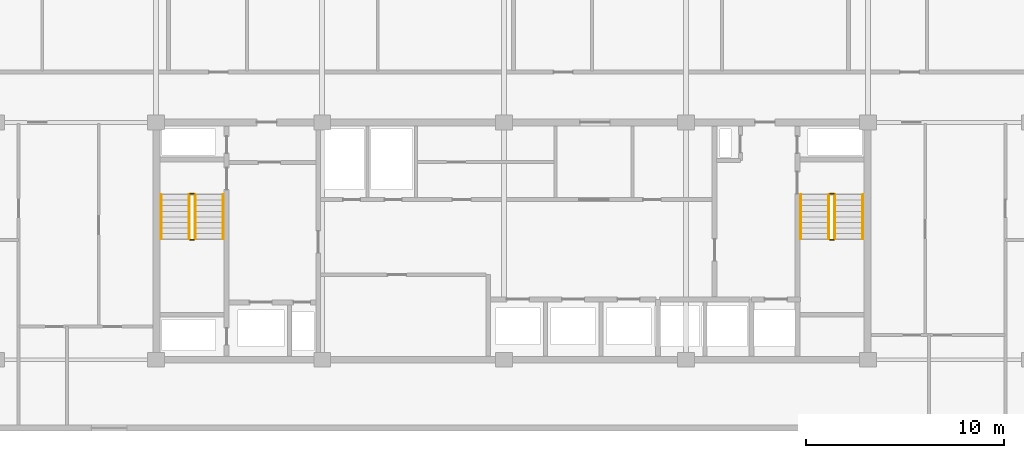
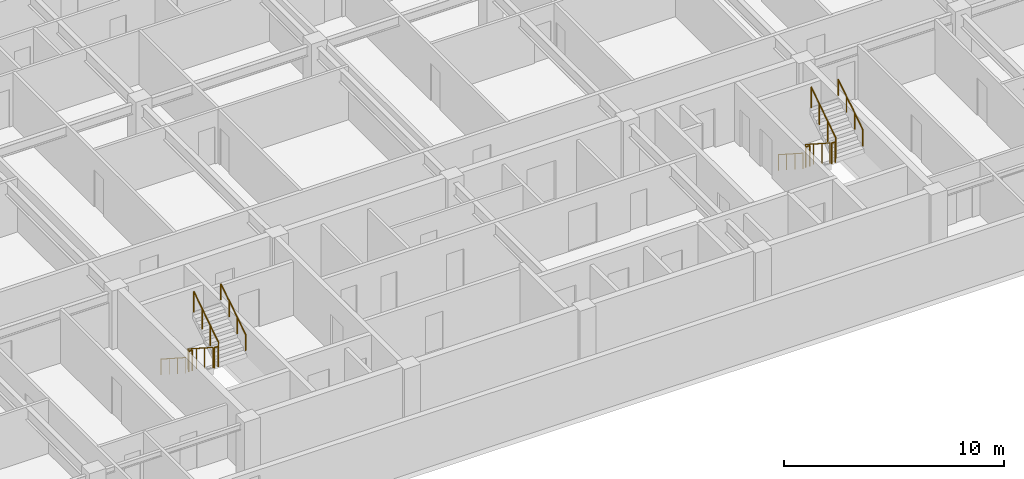
# One storey, part 22 of 23: 12 railings.
"""IFC4 building model written with IfcOpenShell, lengths in metres."""

from ifc_helpers import new_model, si_unit, direction, frame, origin, origin_2d, place, context, subcontext, project, spatial, circle, extrude, material, type_object, element, save


model = new_model("IFC4")

# Units and contexts
model_context = context("Model", 3, precision=1e-05, world=origin(), true_north=direction((0.0, 1.0)))
body_context = subcontext(model_context, "Body", "Model", "MODEL_VIEW")
ifc_project = project(units=[si_unit("LENGTHUNIT", "METRE"), si_unit("AREAUNIT", "SQUARE_METRE"), si_unit("VOLUMEUNIT", "CUBIC_METRE"), si_unit("PLANEANGLEUNIT", "RADIAN"), si_unit("MASSUNIT", "GRAM", prefix="KILO")], contexts=[model_context])

# Site, building, storey
site_placement = place(None, origin())
site = spatial("IfcSite", under=ifc_project, at=site_placement, CompositionType="ELEMENT")
building_placement = place(site_placement, origin())
building = spatial("IfcBuilding", under=site, at=building_placement, Name="Korimba Cascade Residences", CompositionType="ELEMENT")
storey_placement = place(building_placement, frame((0.0, 0.0, 165.35009765625)))
storey = spatial("IfcBuildingStorey", under=building, at=storey_placement, Name="L47", CompositionType="ELEMENT", Elevation=165.35009765625)

# Railings
ifc_material_1 = material(Name="Painted Steel Stairwell Guardrail", Category="steel")
railing_type_1 = type_object("IfcRailingType", Name="RLG-ST-GD1150", PredefinedType="GUARDRAIL", material=ifc_material_1)
railing_1_placement = place(storey_placement, frame((77.77001953125, 63.550048828125, 0.180419921875)))
element("IfcRailing", 1, at=railing_1_placement, inside=storey, type_object=railing_type_1, Name="L47 ST-W1 stair guard 1", PredefinedType="GUARDRAIL", context=body_context, shape_type="SweptSolid", body=[
    extrude(circle(Radius=0.02392578125, at=origin_2d()), frame((0.0, 0.0, 1.1259765625), z_axis=(0.0, -0.840394893359, 0.541974559565), x_axis=(1.0, 0.0, 0.0)), (0.0, 0.0, 1.0), 2.665283203125),
    extrude(circle(Radius=0.02099609375, at=origin_2d()), origin(), (0.0, 0.0, 1.0), 1.101806640625),
    extrude(circle(Radius=0.02099609375, at=origin_2d()), frame((0.0, -0.74658203125, 0.4814453125)), (0.0, 0.0, 1.0), 1.101806640625),
    extrude(circle(Radius=0.02099609375, at=origin_2d()), frame((0.0, -1.493408203125, 0.963134765625)), (0.0, 0.0, 1.0), 1.101806640625),
    extrude(circle(Radius=0.02099609375, at=origin_2d()), frame((0.0, -2.239990234375, 1.444580078125)), (0.0, 0.0, 1.0), 1.101806640625),
])
railing_2_placement = place(storey_placement, frame((77.820068359375, 61.260009765625, 1.625)))
element("IfcRailing", 2, at=railing_2_placement, inside=storey, type_object=railing_type_1, Name="L47 ST-W1 stair guard 2", PredefinedType="GUARDRAIL", context=body_context, shape_type="SweptSolid", body=[
    extrude(circle(Radius=0.02392578125, at=origin_2d()), frame((0.0, 0.0, 1.1259765625), z_axis=(1.0, 0.0, 0.0), x_axis=(0.0, 1.0, 0.0)), (0.0, 0.0, 1.0), 0.199951171875),
    extrude(circle(Radius=0.02099609375, at=origin_2d()), origin(), (0.0, 0.0, 1.0), 1.101806640625),
    extrude(circle(Radius=0.02099609375, at=origin_2d()), frame((0.199951171875, 0.0, 0.0)), (0.0, 0.0, 1.0), 1.101806640625),
])
railing_3_placement = place(storey_placement, frame((78.070068359375, 61.31005859375, 1.805419921875)))
element("IfcRailing", 3, at=railing_3_placement, inside=storey, type_object=railing_type_1, Name="L47 ST-W1 stair guard 3", PredefinedType="GUARDRAIL", context=body_context, shape_type="SweptSolid", body=[
    extrude(circle(Radius=0.02392578125, at=origin_2d()), frame((0.0, 0.0, 1.1259765625), z_axis=(0.0, 0.840394893359, 0.541974559565), x_axis=(-1.0, 0.0, 0.0)), (0.0, 0.0, 1.0), 2.665283203125),
    extrude(circle(Radius=0.02099609375, at=origin_2d()), origin(), (0.0, 0.0, 1.0), 1.101806640625),
    extrude(circle(Radius=0.02099609375, at=origin_2d()), frame((0.0, 0.74658203125, 0.4814453125)), (0.0, 0.0, 1.0), 1.101806640625),
    extrude(circle(Radius=0.02099609375, at=origin_2d()), frame((0.0, 1.493408203125, 0.963134765625)), (0.0, 0.0, 1.0), 1.101806640625),
    extrude(circle(Radius=0.02099609375, at=origin_2d()), frame((0.0, 2.239990234375, 1.444580078125)), (0.0, 0.0, 1.0), 1.101806640625),
])
railing_4_placement = place(storey_placement, frame((77.820068359375, 63.60009765625, 0.0)))
element("IfcRailing", 4, at=railing_4_placement, inside=storey, type_object=railing_type_1, Name="L47 ST-W1 stair guard 4", PredefinedType="GUARDRAIL", context=body_context, shape_type="SweptSolid", body=[
    extrude(circle(Radius=0.02392578125, at=origin_2d()), frame((0.0, 0.0, 1.1259765625), z_axis=(1.0, 0.0, 0.0), x_axis=(0.0, 1.0, 0.0)), (0.0, 0.0, 1.0), 0.199951171875),
    extrude(circle(Radius=0.02099609375, at=origin_2d()), origin(), (0.0, 0.0, 1.0), 1.101806640625),
    extrude(circle(Radius=0.02099609375, at=origin_2d()), frame((0.199951171875, 0.0, 0.0)), (0.0, 0.0, 1.0), 1.101806640625),
])
railing_5_placement = place(storey_placement, frame((110.1298828125, 63.550048828125, 0.180419921875)))
element("IfcRailing", 5, at=railing_5_placement, inside=storey, type_object=railing_type_1, Name="L47 ST-W2 stair guard 1", PredefinedType="GUARDRAIL", context=body_context, shape_type="SweptSolid", body=[
    extrude(circle(Radius=0.02392578125, at=origin_2d()), frame((0.0, 0.0, 1.1259765625), z_axis=(0.0, -0.840394893359, 0.541974559565), x_axis=(1.0, 0.0, 0.0)), (0.0, 0.0, 1.0), 2.665283203125),
    extrude(circle(Radius=0.02099609375, at=origin_2d()), origin(), (0.0, 0.0, 1.0), 1.101806640625),
    extrude(circle(Radius=0.02099609375, at=origin_2d()), frame((0.0, -0.74658203125, 0.4814453125)), (0.0, 0.0, 1.0), 1.101806640625),
    extrude(circle(Radius=0.02099609375, at=origin_2d()), frame((0.0, -1.493408203125, 0.963134765625)), (0.0, 0.0, 1.0), 1.101806640625),
    extrude(circle(Radius=0.02099609375, at=origin_2d()), frame((0.0, -2.239990234375, 1.444580078125)), (0.0, 0.0, 1.0), 1.101806640625),
])
railing_6_placement = place(storey_placement, frame((110.179931640625, 61.260009765625, 1.625)))
element("IfcRailing", 6, at=railing_6_placement, inside=storey, type_object=railing_type_1, Name="L47 ST-W2 stair guard 2", PredefinedType="GUARDRAIL", context=body_context, shape_type="SweptSolid", body=[
    extrude(circle(Radius=0.02392578125, at=origin_2d()), frame((0.0, 0.0, 1.1259765625), z_axis=(1.0, 0.0, 0.0), x_axis=(0.0, 1.0, 0.0)), (0.0, 0.0, 1.0), 0.199951171875),
    extrude(circle(Radius=0.02099609375, at=origin_2d()), origin(), (0.0, 0.0, 1.0), 1.101806640625),
    extrude(circle(Radius=0.02099609375, at=origin_2d()), frame((0.199951171875, 0.0, 0.0)), (0.0, 0.0, 1.0), 1.101806640625),
])
railing_7_placement = place(storey_placement, frame((110.429931640625, 61.31005859375, 1.805419921875)))
element("IfcRailing", 7, at=railing_7_placement, inside=storey, type_object=railing_type_1, Name="L47 ST-W2 stair guard 3", PredefinedType="GUARDRAIL", context=body_context, shape_type="SweptSolid", body=[
    extrude(circle(Radius=0.02392578125, at=origin_2d()), frame((0.0, 0.0, 1.1259765625), z_axis=(0.0, 0.840394893359, 0.541974559565), x_axis=(-1.0, 0.0, 0.0)), (0.0, 0.0, 1.0), 2.665283203125),
    extrude(circle(Radius=0.02099609375, at=origin_2d()), origin(), (0.0, 0.0, 1.0), 1.101806640625),
    extrude(circle(Radius=0.02099609375, at=origin_2d()), frame((0.0, 0.74658203125, 0.4814453125)), (0.0, 0.0, 1.0), 1.101806640625),
    extrude(circle(Radius=0.02099609375, at=origin_2d()), frame((0.0, 1.493408203125, 0.963134765625)), (0.0, 0.0, 1.0), 1.101806640625),
    extrude(circle(Radius=0.02099609375, at=origin_2d()), frame((0.0, 2.239990234375, 1.444580078125)), (0.0, 0.0, 1.0), 1.101806640625),
])
railing_8_placement = place(storey_placement, frame((110.179931640625, 63.60009765625, 0.0)))
element("IfcRailing", 8, at=railing_8_placement, inside=storey, type_object=railing_type_1, Name="L47 ST-W2 stair guard 4", PredefinedType="GUARDRAIL", context=body_context, shape_type="SweptSolid", body=[
    extrude(circle(Radius=0.02392578125, at=origin_2d()), frame((0.0, 0.0, 1.1259765625), z_axis=(1.0, 0.0, 0.0), x_axis=(0.0, 1.0, 0.0)), (0.0, 0.0, 1.0), 0.199951171875),
    extrude(circle(Radius=0.02099609375, at=origin_2d()), origin(), (0.0, 0.0, 1.0), 1.101806640625),
    extrude(circle(Radius=0.02099609375, at=origin_2d()), frame((0.199951171875, 0.0, 0.0)), (0.0, 0.0, 1.0), 1.101806640625),
])
ifc_material_2 = material(Name="Brushed Stainless Steel Handrail", Category="steel")
railing_type_2 = type_object("IfcRailingType", Name="RLG-ST-HR900", PredefinedType="HANDRAIL", material=ifc_material_2)
railing_9_placement = place(storey_placement, frame((76.35009765625, 63.550048828125, 0.36474609375)))
element("IfcRailing", 9, at=railing_9_placement, inside=storey, type_object=railing_type_2, Name="L47 ST-W1 stair handrail 1", PredefinedType="HANDRAIL", context=body_context, shape_type="SweptSolid", body=[
    extrude(circle(Radius=0.02392578125, at=origin_2d()), frame((0.0, 0.0, 0.8759765625), z_axis=(0.0, -0.840394893359, 0.541974559565), x_axis=(1.0, 0.0, 0.0)), (0.0, 0.0, 1.0), 2.665283203125),
    extrude(circle(Radius=0.02099609375, at=origin_2d()), origin(), (0.0, 0.0, 1.0), 0.851806640625),
    extrude(circle(Radius=0.02099609375, at=origin_2d()), frame((0.0, -0.74658203125, 0.4814453125)), (0.0, 0.0, 1.0), 0.851806640625),
    extrude(circle(Radius=0.02099609375, at=origin_2d()), frame((0.0, -1.493408203125, 0.963134765625)), (0.0, 0.0, 1.0), 0.851806640625),
    extrude(circle(Radius=0.02099609375, at=origin_2d()), frame((0.0, -2.239990234375, 1.444580078125)), (0.0, 0.0, 1.0), 0.851806640625),
])
railing_10_placement = place(storey_placement, frame((79.489990234375, 61.31005859375, 1.98974609375)))
element("IfcRailing", 10, at=railing_10_placement, inside=storey, type_object=railing_type_2, Name="L47 ST-W1 stair handrail 2", PredefinedType="HANDRAIL", context=body_context, shape_type="SweptSolid", body=[
    extrude(circle(Radius=0.02392578125, at=origin_2d()), frame((0.0, 0.0, 0.8759765625), z_axis=(0.0, 0.840394893359, 0.541974559565), x_axis=(-1.0, 0.0, 0.0)), (0.0, 0.0, 1.0), 2.665283203125),
    extrude(circle(Radius=0.02099609375, at=origin_2d()), origin(), (0.0, 0.0, 1.0), 0.851806640625),
    extrude(circle(Radius=0.02099609375, at=origin_2d()), frame((0.0, 0.74658203125, 0.4814453125)), (0.0, 0.0, 1.0), 0.851806640625),
    extrude(circle(Radius=0.02099609375, at=origin_2d()), frame((0.0, 1.493408203125, 0.963134765625)), (0.0, 0.0, 1.0), 0.851806640625),
    extrude(circle(Radius=0.02099609375, at=origin_2d()), frame((0.0, 2.239990234375, 1.444580078125)), (0.0, 0.0, 1.0), 0.851806640625),
])
railing_11_placement = place(storey_placement, frame((108.7099609375, 63.550048828125, 0.36474609375)))
element("IfcRailing", 11, at=railing_11_placement, inside=storey, type_object=railing_type_2, Name="L47 ST-W2 stair handrail 1", PredefinedType="HANDRAIL", context=body_context, shape_type="SweptSolid", body=[
    extrude(circle(Radius=0.02392578125, at=origin_2d()), frame((0.0, 0.0, 0.8759765625), z_axis=(0.0, -0.840394893359, 0.541974559565), x_axis=(1.0, 0.0, 0.0)), (0.0, 0.0, 1.0), 2.665283203125),
    extrude(circle(Radius=0.02099609375, at=origin_2d()), origin(), (0.0, 0.0, 1.0), 0.851806640625),
    extrude(circle(Radius=0.02099609375, at=origin_2d()), frame((0.0, -0.74658203125, 0.4814453125)), (0.0, 0.0, 1.0), 0.851806640625),
    extrude(circle(Radius=0.02099609375, at=origin_2d()), frame((0.0, -1.493408203125, 0.963134765625)), (0.0, 0.0, 1.0), 0.851806640625),
    extrude(circle(Radius=0.02099609375, at=origin_2d()), frame((0.0, -2.239990234375, 1.444580078125)), (0.0, 0.0, 1.0), 0.851806640625),
])
railing_12_placement = place(storey_placement, frame((111.85009765625, 61.31005859375, 1.98974609375)))
element("IfcRailing", 12, at=railing_12_placement, inside=storey, type_object=railing_type_2, Name="L47 ST-W2 stair handrail 2", PredefinedType="HANDRAIL", context=body_context, shape_type="SweptSolid", body=[
    extrude(circle(Radius=0.02392578125, at=origin_2d()), frame((0.0, 0.0, 0.8759765625), z_axis=(0.0, 0.840394893359, 0.541974559565), x_axis=(-1.0, 0.0, 0.0)), (0.0, 0.0, 1.0), 2.665283203125),
    extrude(circle(Radius=0.02099609375, at=origin_2d()), origin(), (0.0, 0.0, 1.0), 0.851806640625),
    extrude(circle(Radius=0.02099609375, at=origin_2d()), frame((0.0, 0.74658203125, 0.4814453125)), (0.0, 0.0, 1.0), 0.851806640625),
    extrude(circle(Radius=0.02099609375, at=origin_2d()), frame((0.0, 1.493408203125, 0.963134765625)), (0.0, 0.0, 1.0), 0.851806640625),
    extrude(circle(Radius=0.02099609375, at=origin_2d()), frame((0.0, 2.239990234375, 1.444580078125)), (0.0, 0.0, 1.0), 0.851806640625),
])

save(model, "model.ifc")
